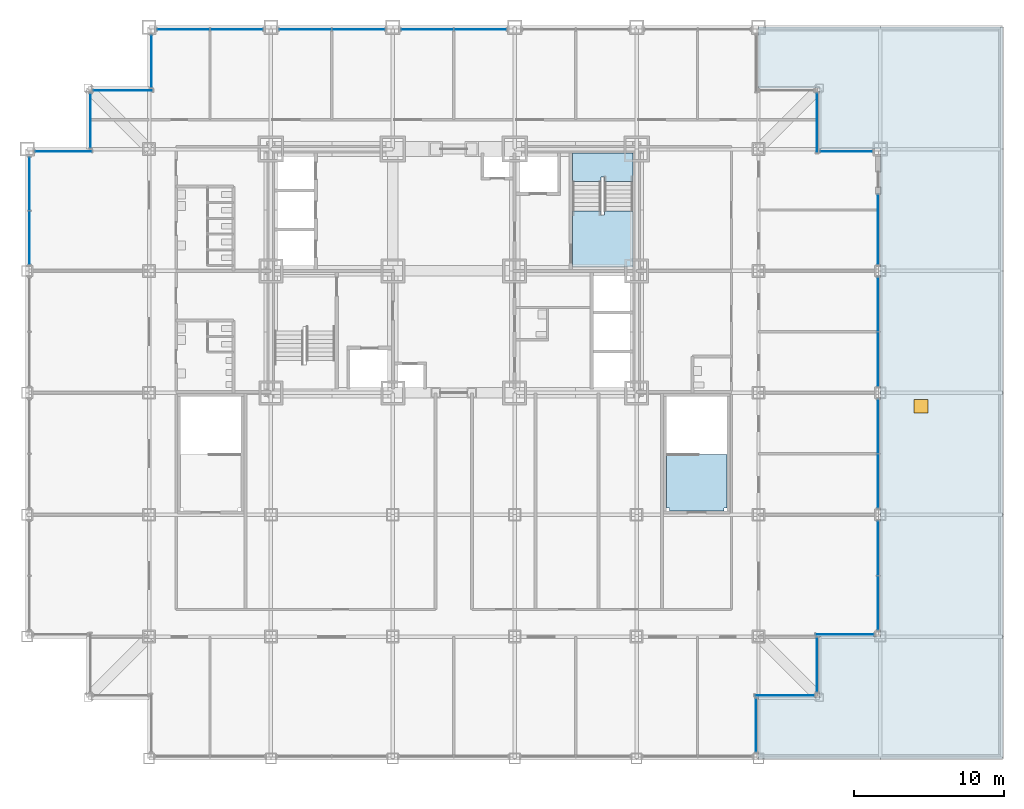
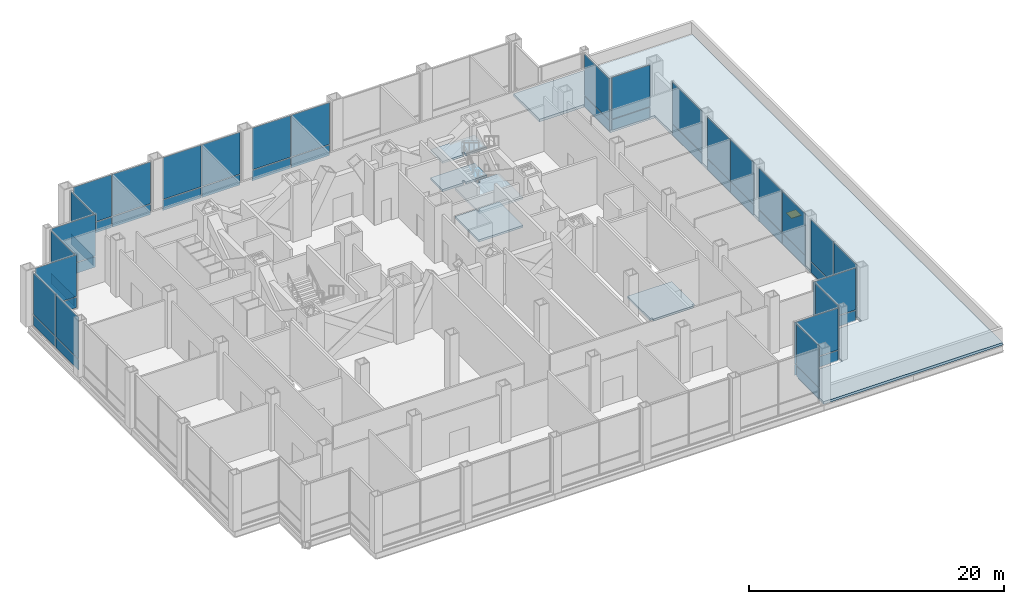
# One storey, part 11 of 18: 50 plates, 6 slabs, 1 window, 1 opening, 19 elements without a shape of their own.
"""IFC4 building model written with IfcOpenShell, lengths in metres."""

from ifc_helpers import new_model, si_unit, direction, frame, origin, origin_2d, place, context, subcontext, project, spatial, polyline, rectangle, outline, extrude, material, layer, layer_set, type_object, element, fill, aggregate, save


model = new_model("IFC4")

# Units and contexts
model_context = context("Model", 3, precision=1e-05, world=origin(), true_north=direction((0.0, 1.0)))
body_context = subcontext(model_context, "Body", "Model", "MODEL_VIEW")
ifc_project = project(units=[si_unit("LENGTHUNIT", "METRE"), si_unit("AREAUNIT", "SQUARE_METRE"), si_unit("VOLUMEUNIT", "CUBIC_METRE"), si_unit("PLANEANGLEUNIT", "RADIAN"), si_unit("MASSUNIT", "GRAM", prefix="KILO")], contexts=[model_context])

# Site, building, storey
site_placement = place(None, origin())
site = spatial("IfcSite", under=ifc_project, at=site_placement, CompositionType="ELEMENT")
building_placement = place(site_placement, origin())
building = spatial("IfcBuilding", under=site, at=building_placement, Name="Kopane Lantern Tower", CompositionType="ELEMENT")
storey_placement = place(building_placement, frame((0.0, 0.0, 22.199951171875)))
storey = spatial("IfcBuildingStorey", under=building, at=storey_placement, Name="L04", CompositionType="ELEMENT", Elevation=22.199951171875)

# Curtain wall, plates
ifc_material_1 = material(Name="Aluminium and clear glass", Category="aluminium")
curtain_wall_type = type_object("IfcCurtainWallType", Name="CURTAIN WALL CW3 SKY LOBBY", PredefinedType="USERDEFINED", material=ifc_material_1)
curtain_wall_1_placement = place(storey_placement, origin())
curtain_wall_1 = element("IfcCurtainWall", 1, at=curtain_wall_1_placement, inside=storey, type_object=curtain_wall_type, Name="Curtain wall CW3 E L04", ObjectType="CURTAIN WALL", PredefinedType="USERDEFINED")
ifc_material_2 = material(Name="Insulated clear glass unit", Category="glass")
ifc_layer_1 = layer(ifc_material_2, 0.033935546875)
ifc_layer_set_1 = layer_set([ifc_layer_1], Name="CURTAIN PANEL CW3-P 34")
plate_type = type_object("IfcPlateType", Name="CURTAIN PANEL CW3-P 34", PredefinedType="CURTAIN_PANEL", material=ifc_layer_set_1)
plate_1_placement = place(storey_placement, frame((48.449951171875, 2.215087890625, 0.070068359375), z_axis=(0.0, 0.0, 1.0), x_axis=(0.0, 1.0, 0.0)))
plate_1 = element("IfcPlate", 2, at=plate_1_placement, type_object=plate_type, Name="CW3 panel 1.1", PredefinedType="CURTAIN_PANEL", context=body_context, shape_type="SweptSolid", body=[
    extrude(rectangle(XDim=3.530029296875, YDim=0.033935546875, at=origin_2d()), origin(), (0.0, 0.0, 1.0), 0.9951171875),
])
plate_2_placement = place(storey_placement, frame((48.449951171875, 2.215087890625, 1.134765625), z_axis=(0.0, 0.0, 1.0), x_axis=(0.0, 1.0, 0.0)))
plate_2 = element("IfcPlate", 3, at=plate_2_placement, type_object=plate_type, Name="CW3 panel 1.2", PredefinedType="CURTAIN_PANEL", context=body_context, shape_type="SweptSolid", body=[
    extrude(rectangle(XDim=3.530029296875, YDim=0.033935546875, at=origin_2d()), origin(), (0.0, 0.0, 1.0), 3.985107421875),
])
aggregate(curtain_wall_1, [plate_1, plate_2])

curtain_wall_2_placement = place(storey_placement, origin())
curtain_wall_2 = element("IfcCurtainWall", 4, at=curtain_wall_2_placement, inside=storey, type_object=curtain_wall_type, Name="Curtain wall CW3 S L04", ObjectType="CURTAIN WALL", PredefinedType="USERDEFINED")
plate_3_placement = place(storey_placement, frame((50.3349609375, 4.199951171875, 0.070068359375), z_axis=(0.0, 0.0, 1.0), x_axis=(1.0, 0.0, 0.0)))
plate_3 = element("IfcPlate", 5, at=plate_3_placement, type_object=plate_type, Name="CW3 panel 1.1", PredefinedType="CURTAIN_PANEL", context=body_context, shape_type="SweptSolid", body=[
    extrude(rectangle(XDim=3.929931640625, YDim=0.033935546875, at=origin_2d()), origin(), (0.0, 0.0, 1.0), 0.9951171875),
])
plate_4_placement = place(storey_placement, frame((50.3349609375, 4.199951171875, 1.134765625), z_axis=(0.0, 0.0, 1.0), x_axis=(1.0, 0.0, 0.0)))
plate_4 = element("IfcPlate", 6, at=plate_4_placement, type_object=plate_type, Name="CW3 panel 1.2", PredefinedType="CURTAIN_PANEL", context=body_context, shape_type="SweptSolid", body=[
    extrude(rectangle(XDim=3.929931640625, YDim=0.033935546875, at=origin_2d()), origin(), (0.0, 0.0, 1.0), 3.985107421875),
])
aggregate(curtain_wall_2, [plate_3, plate_4])

curtain_wall_3_placement = place(storey_placement, origin())
curtain_wall_3 = element("IfcCurtainWall", 7, at=curtain_wall_3_placement, inside=storey, type_object=curtain_wall_type, Name="Curtain wall CW3 E L04", ObjectType="CURTAIN WALL", PredefinedType="USERDEFINED")
plate_5_placement = place(storey_placement, frame((52.5, 6.22509765625, 0.070068359375), z_axis=(0.0, 0.0, 1.0), x_axis=(0.0, 1.0, 0.0)))
plate_5 = element("IfcPlate", 8, at=plate_5_placement, type_object=plate_type, Name="CW3 panel 1.1", PredefinedType="CURTAIN_PANEL", context=body_context, shape_type="SweptSolid", body=[
    extrude(rectangle(XDim=3.610107421875, YDim=0.033935546875, at=origin_2d()), origin(), (0.0, 0.0, 1.0), 0.9951171875),
])
plate_6_placement = place(storey_placement, frame((52.5, 6.22509765625, 1.134765625), z_axis=(0.0, 0.0, 1.0), x_axis=(0.0, 1.0, 0.0)))
plate_6 = element("IfcPlate", 9, at=plate_6_placement, type_object=plate_type, Name="CW3 panel 1.2", PredefinedType="CURTAIN_PANEL", context=body_context, shape_type="SweptSolid", body=[
    extrude(rectangle(XDim=3.610107421875, YDim=0.033935546875, at=origin_2d()), origin(), (0.0, 0.0, 1.0), 3.985107421875),
])
aggregate(curtain_wall_3, [plate_5, plate_6])

curtain_wall_4_placement = place(storey_placement, origin())
curtain_wall_4 = element("IfcCurtainWall", 10, at=curtain_wall_4_placement, inside=storey, type_object=curtain_wall_type, Name="Curtain wall CW3 S L04", ObjectType="CURTAIN WALL", PredefinedType="USERDEFINED")
plate_7_placement = place(storey_placement, frame((54.3349609375, 8.25, 0.070068359375), z_axis=(0.0, 0.0, 1.0), x_axis=(1.0, 0.0, 0.0)))
plate_7 = element("IfcPlate", 11, at=plate_7_placement, type_object=plate_type, Name="CW3 panel 1.1", PredefinedType="CURTAIN_PANEL", context=body_context, shape_type="SweptSolid", body=[
    extrude(rectangle(XDim=3.830078125, YDim=0.033935546875, at=origin_2d()), origin(), (0.0, 0.0, 1.0), 0.9951171875),
])
plate_8_placement = place(storey_placement, frame((54.3349609375, 8.25, 1.134765625), z_axis=(0.0, 0.0, 1.0), x_axis=(1.0, 0.0, 0.0)))
plate_8 = element("IfcPlate", 12, at=plate_8_placement, type_object=plate_type, Name="CW3 panel 1.2", PredefinedType="CURTAIN_PANEL", context=body_context, shape_type="SweptSolid", body=[
    extrude(rectangle(XDim=3.830078125, YDim=0.033935546875, at=origin_2d()), origin(), (0.0, 0.0, 1.0), 3.985107421875),
])
aggregate(curtain_wall_4, [plate_7, plate_8])

curtain_wall_5_placement = place(storey_placement, origin())
curtain_wall_5 = element("IfcCurtainWall", 13, at=curtain_wall_5_placement, inside=storey, type_object=curtain_wall_type, Name="Curtain wall CW3 E L04", ObjectType="CURTAIN WALL", PredefinedType="USERDEFINED")
plate_9_placement = place(storey_placement, frame((56.550048828125, 10.33251953125, 0.070068359375), z_axis=(0.0, 0.0, 1.0), x_axis=(0.0, 1.0, 0.0)))
plate_9 = element("IfcPlate", 14, at=plate_9_placement, type_object=plate_type, Name="CW3 panel 1.1", PredefinedType="CURTAIN_PANEL", context=body_context, shape_type="SweptSolid", body=[
    extrude(rectangle(XDim=3.56494140625, YDim=0.033935546875, at=origin_2d()), origin(), (0.0, 0.0, 1.0), 0.9951171875),
])
plate_10_placement = place(storey_placement, frame((56.550048828125, 10.33251953125, 1.134765625), z_axis=(0.0, 0.0, 1.0), x_axis=(0.0, 1.0, 0.0)))
plate_10 = element("IfcPlate", 15, at=plate_10_placement, type_object=plate_type, Name="CW3 panel 1.2", PredefinedType="CURTAIN_PANEL", context=body_context, shape_type="SweptSolid", body=[
    extrude(rectangle(XDim=3.56494140625, YDim=0.033935546875, at=origin_2d()), origin(), (0.0, 0.0, 1.0), 3.985107421875),
])
plate_11_placement = place(storey_placement, frame((56.550048828125, 13.967529296875, 0.070068359375), z_axis=(0.0, 0.0, 1.0), x_axis=(0.0, 1.0, 0.0)))
plate_11 = element("IfcPlate", 16, at=plate_11_placement, type_object=plate_type, Name="CW3 panel 2.1", PredefinedType="CURTAIN_PANEL", context=body_context, shape_type="SweptSolid", body=[
    extrude(rectangle(XDim=3.56494140625, YDim=0.033935546875, at=origin_2d()), origin(), (0.0, 0.0, 1.0), 0.9951171875),
])
plate_12_placement = place(storey_placement, frame((56.550048828125, 13.967529296875, 1.134765625), z_axis=(0.0, 0.0, 1.0), x_axis=(0.0, 1.0, 0.0)))
plate_12 = element("IfcPlate", 17, at=plate_12_placement, type_object=plate_type, Name="CW3 panel 2.2", PredefinedType="CURTAIN_PANEL", context=body_context, shape_type="SweptSolid", body=[
    extrude(rectangle(XDim=3.56494140625, YDim=0.033935546875, at=origin_2d()), origin(), (0.0, 0.0, 1.0), 3.985107421875),
])
aggregate(curtain_wall_5, [plate_9, plate_10, plate_11, plate_12])

curtain_wall_6_placement = place(storey_placement, origin())
curtain_wall_6 = element("IfcCurtainWall", 18, at=curtain_wall_6_placement, inside=storey, type_object=curtain_wall_type, Name="Curtain wall CW3 E L04", ObjectType="CURTAIN WALL", PredefinedType="USERDEFINED")
plate_13_placement = place(storey_placement, frame((56.550048828125, 18.4326171875, 0.070068359375), z_axis=(0.0, 0.0, 1.0), x_axis=(0.0, 1.0, 0.0)))
plate_13 = element("IfcPlate", 19, at=plate_13_placement, type_object=plate_type, Name="CW3 panel 1.1", PredefinedType="CURTAIN_PANEL", context=body_context, shape_type="SweptSolid", body=[
    extrude(rectangle(XDim=3.56494140625, YDim=0.033935546875, at=origin_2d()), origin(), (0.0, 0.0, 1.0), 0.9951171875),
])
plate_14_placement = place(storey_placement, frame((56.550048828125, 18.4326171875, 1.134765625), z_axis=(0.0, 0.0, 1.0), x_axis=(0.0, 1.0, 0.0)))
plate_14 = element("IfcPlate", 20, at=plate_14_placement, type_object=plate_type, Name="CW3 panel 1.2", PredefinedType="CURTAIN_PANEL", context=body_context, shape_type="SweptSolid", body=[
    extrude(rectangle(XDim=3.56494140625, YDim=0.033935546875, at=origin_2d()), origin(), (0.0, 0.0, 1.0), 3.985107421875),
])
plate_15_placement = place(storey_placement, frame((56.550048828125, 22.0673828125, 0.070068359375), z_axis=(0.0, 0.0, 1.0), x_axis=(0.0, 1.0, 0.0)))
plate_15 = element("IfcPlate", 21, at=plate_15_placement, type_object=plate_type, Name="CW3 panel 2.1", PredefinedType="CURTAIN_PANEL", context=body_context, shape_type="SweptSolid", body=[
    extrude(rectangle(XDim=3.56494140625, YDim=0.033935546875, at=origin_2d()), origin(), (0.0, 0.0, 1.0), 0.9951171875),
])
plate_16_placement = place(storey_placement, frame((56.550048828125, 22.0673828125, 1.134765625), z_axis=(0.0, 0.0, 1.0), x_axis=(0.0, 1.0, 0.0)))
plate_16 = element("IfcPlate", 22, at=plate_16_placement, type_object=plate_type, Name="CW3 panel 2.2", PredefinedType="CURTAIN_PANEL", context=body_context, shape_type="SweptSolid", body=[
    extrude(rectangle(XDim=3.56494140625, YDim=0.033935546875, at=origin_2d()), origin(), (0.0, 0.0, 1.0), 3.985107421875),
])
aggregate(curtain_wall_6, [plate_13, plate_14, plate_15, plate_16])

curtain_wall_7_placement = place(storey_placement, origin())
curtain_wall_7 = element("IfcCurtainWall", 23, at=curtain_wall_7_placement, inside=storey, type_object=curtain_wall_type, Name="Curtain wall CW3 E L04", ObjectType="CURTAIN WALL", PredefinedType="USERDEFINED")
plate_17_placement = place(storey_placement, frame((56.550048828125, 26.532470703125, 0.070068359375), z_axis=(0.0, 0.0, 1.0), x_axis=(0.0, 1.0, 0.0)))
plate_17 = element("IfcPlate", 24, at=plate_17_placement, type_object=plate_type, Name="CW3 panel 1.1", PredefinedType="CURTAIN_PANEL", context=body_context, shape_type="SweptSolid", body=[
    extrude(rectangle(XDim=3.56494140625, YDim=0.033935546875, at=origin_2d()), origin(), (0.0, 0.0, 1.0), 0.9951171875),
])
plate_18_placement = place(storey_placement, frame((56.550048828125, 26.532470703125, 1.134765625), z_axis=(0.0, 0.0, 1.0), x_axis=(0.0, 1.0, 0.0)))
plate_18 = element("IfcPlate", 25, at=plate_18_placement, type_object=plate_type, Name="CW3 panel 1.2", PredefinedType="CURTAIN_PANEL", context=body_context, shape_type="SweptSolid", body=[
    extrude(rectangle(XDim=3.56494140625, YDim=0.033935546875, at=origin_2d()), origin(), (0.0, 0.0, 1.0), 3.985107421875),
])
plate_19_placement = place(storey_placement, frame((56.550048828125, 30.16748046875, 0.070068359375), z_axis=(0.0, 0.0, 1.0), x_axis=(0.0, 1.0, 0.0)))
plate_19 = element("IfcPlate", 26, at=plate_19_placement, type_object=plate_type, Name="CW3 panel 2.1", PredefinedType="CURTAIN_PANEL", context=body_context, shape_type="SweptSolid", body=[
    extrude(rectangle(XDim=3.56494140625, YDim=0.033935546875, at=origin_2d()), origin(), (0.0, 0.0, 1.0), 0.9951171875),
])
plate_20_placement = place(storey_placement, frame((56.550048828125, 30.16748046875, 1.134765625), z_axis=(0.0, 0.0, 1.0), x_axis=(0.0, 1.0, 0.0)))
plate_20 = element("IfcPlate", 27, at=plate_20_placement, type_object=plate_type, Name="CW3 panel 2.2", PredefinedType="CURTAIN_PANEL", context=body_context, shape_type="SweptSolid", body=[
    extrude(rectangle(XDim=3.56494140625, YDim=0.033935546875, at=origin_2d()), origin(), (0.0, 0.0, 1.0), 3.985107421875),
])
aggregate(curtain_wall_7, [plate_17, plate_18, plate_19, plate_20])

curtain_wall_8_placement = place(storey_placement, origin())
curtain_wall_8 = element("IfcCurtainWall", 28, at=curtain_wall_8_placement, inside=storey, type_object=curtain_wall_type, Name="Curtain wall CW3 E L04", ObjectType="CURTAIN WALL", PredefinedType="USERDEFINED")
plate_21_placement = place(storey_placement, frame((56.550048828125, 35.152587890625, 0.070068359375), z_axis=(0.0, 0.0, 1.0), x_axis=(0.0, 1.0, 0.0)))
plate_21 = element("IfcPlate", 29, at=plate_21_placement, type_object=plate_type, Name="CW3 panel 1.1", PredefinedType="CURTAIN_PANEL", context=body_context, shape_type="SweptSolid", body=[
    extrude(rectangle(XDim=4.60498046875, YDim=0.033935546875, at=origin_2d()), origin(), (0.0, 0.0, 1.0), 0.9951171875),
])
plate_22_placement = place(storey_placement, frame((56.550048828125, 35.152587890625, 1.134765625), z_axis=(0.0, 0.0, 1.0), x_axis=(0.0, 1.0, 0.0)))
plate_22 = element("IfcPlate", 30, at=plate_22_placement, type_object=plate_type, Name="CW3 panel 1.2", PredefinedType="CURTAIN_PANEL", context=body_context, shape_type="SweptSolid", body=[
    extrude(rectangle(XDim=4.60498046875, YDim=0.033935546875, at=origin_2d()), origin(), (0.0, 0.0, 1.0), 3.985107421875),
])
aggregate(curtain_wall_8, [plate_21, plate_22])

curtain_wall_9_placement = place(storey_placement, origin())
curtain_wall_9 = element("IfcCurtainWall", 31, at=curtain_wall_9_placement, inside=storey, type_object=curtain_wall_type, Name="Curtain wall CW3 N L04", ObjectType="CURTAIN WALL", PredefinedType="USERDEFINED")
plate_23_placement = place(storey_placement, frame((54.43505859375, 40.35009765625, 0.070068359375), z_axis=(0.0, 0.0, 1.0), x_axis=(-1.0, 0.0, 0.0)))
plate_23 = element("IfcPlate", 32, at=plate_23_placement, type_object=plate_type, Name="CW3 panel 1.1", PredefinedType="CURTAIN_PANEL", context=body_context, shape_type="SweptSolid", body=[
    extrude(rectangle(XDim=3.429931640625, YDim=0.033935546875, at=origin_2d()), origin(), (0.0, 0.0, 1.0), 0.9951171875),
])
plate_24_placement = place(storey_placement, frame((54.43505859375, 40.35009765625, 1.134765625), z_axis=(0.0, 0.0, 1.0), x_axis=(-1.0, 0.0, 0.0)))
plate_24 = element("IfcPlate", 33, at=plate_24_placement, type_object=plate_type, Name="CW3 panel 1.2", PredefinedType="CURTAIN_PANEL", context=body_context, shape_type="SweptSolid", body=[
    extrude(rectangle(XDim=3.429931640625, YDim=0.033935546875, at=origin_2d()), origin(), (0.0, 0.0, 1.0), 3.985107421875),
])
aggregate(curtain_wall_9, [plate_23, plate_24])

curtain_wall_10_placement = place(storey_placement, origin())
curtain_wall_10 = element("IfcCurtainWall", 34, at=curtain_wall_10_placement, inside=storey, type_object=curtain_wall_type, Name="Curtain wall CW3 E L04", ObjectType="CURTAIN WALL", PredefinedType="USERDEFINED")
plate_25_placement = place(storey_placement, frame((52.5, 42.235107421875, 0.070068359375), z_axis=(0.0, 0.0, 1.0), x_axis=(0.0, 1.0, 0.0)))
plate_25 = element("IfcPlate", 35, at=plate_25_placement, type_object=plate_type, Name="CW3 panel 1.1", PredefinedType="CURTAIN_PANEL", context=body_context, shape_type="SweptSolid", body=[
    extrude(rectangle(XDim=3.929931640625, YDim=0.033935546875, at=origin_2d()), origin(), (0.0, 0.0, 1.0), 0.9951171875),
])
plate_26_placement = place(storey_placement, frame((52.5, 42.235107421875, 1.134765625), z_axis=(0.0, 0.0, 1.0), x_axis=(0.0, 1.0, 0.0)))
plate_26 = element("IfcPlate", 36, at=plate_26_placement, type_object=plate_type, Name="CW3 panel 1.2", PredefinedType="CURTAIN_PANEL", context=body_context, shape_type="SweptSolid", body=[
    extrude(rectangle(XDim=3.929931640625, YDim=0.033935546875, at=origin_2d()), origin(), (0.0, 0.0, 1.0), 3.985107421875),
])
aggregate(curtain_wall_10, [plate_25, plate_26])

curtain_wall_11_placement = place(storey_placement, origin())
curtain_wall_11 = element("IfcCurtainWall", 37, at=curtain_wall_11_placement, inside=storey, type_object=curtain_wall_type, Name="Curtain wall CW3 N L04", ObjectType="CURTAIN WALL", PredefinedType="USERDEFINED")
plate_27_placement = place(storey_placement, frame((30.117431640625, 48.449951171875, 0.070068359375), z_axis=(0.0, 0.0, 1.0), x_axis=(-1.0, 0.0, 0.0)))
plate_27 = element("IfcPlate", 38, at=plate_27_placement, type_object=plate_type, Name="CW3 panel 1.1", PredefinedType="CURTAIN_PANEL", context=body_context, shape_type="SweptSolid", body=[
    extrude(rectangle(XDim=3.465087890625, YDim=0.033935546875, at=origin_2d()), origin(), (0.0, 0.0, 1.0), 0.9951171875),
])
plate_28_placement = place(storey_placement, frame((30.117431640625, 48.449951171875, 1.134765625), z_axis=(0.0, 0.0, 1.0), x_axis=(-1.0, 0.0, 0.0)))
plate_28 = element("IfcPlate", 39, at=plate_28_placement, type_object=plate_type, Name="CW3 panel 1.2", PredefinedType="CURTAIN_PANEL", context=body_context, shape_type="SweptSolid", body=[
    extrude(rectangle(XDim=3.465087890625, YDim=0.033935546875, at=origin_2d()), origin(), (0.0, 0.0, 1.0), 3.985107421875),
])
plate_29_placement = place(storey_placement, frame((26.58251953125, 48.449951171875, 0.070068359375), z_axis=(0.0, 0.0, 1.0), x_axis=(-1.0, 0.0, 0.0)))
plate_29 = element("IfcPlate", 40, at=plate_29_placement, type_object=plate_type, Name="CW3 panel 2.1", PredefinedType="CURTAIN_PANEL", context=body_context, shape_type="SweptSolid", body=[
    extrude(rectangle(XDim=3.465087890625, YDim=0.033935546875, at=origin_2d()), origin(), (0.0, 0.0, 1.0), 0.9951171875),
])
plate_30_placement = place(storey_placement, frame((26.58251953125, 48.449951171875, 1.134765625), z_axis=(0.0, 0.0, 1.0), x_axis=(-1.0, 0.0, 0.0)))
plate_30 = element("IfcPlate", 41, at=plate_30_placement, type_object=plate_type, Name="CW3 panel 2.2", PredefinedType="CURTAIN_PANEL", context=body_context, shape_type="SweptSolid", body=[
    extrude(rectangle(XDim=3.465087890625, YDim=0.033935546875, at=origin_2d()), origin(), (0.0, 0.0, 1.0), 3.985107421875),
])
aggregate(curtain_wall_11, [plate_27, plate_28, plate_29, plate_30])

curtain_wall_12_placement = place(storey_placement, origin())
curtain_wall_12 = element("IfcCurtainWall", 42, at=curtain_wall_12_placement, inside=storey, type_object=curtain_wall_type, Name="Curtain wall CW3 N L04", ObjectType="CURTAIN WALL", PredefinedType="USERDEFINED")
plate_31_placement = place(storey_placement, frame((22.017578125, 48.449951171875, 0.070068359375), z_axis=(0.0, 0.0, 1.0), x_axis=(-1.0, 0.0, 0.0)))
plate_31 = element("IfcPlate", 43, at=plate_31_placement, type_object=plate_type, Name="CW3 panel 1.1", PredefinedType="CURTAIN_PANEL", context=body_context, shape_type="SweptSolid", body=[
    extrude(rectangle(XDim=3.465087890625, YDim=0.033935546875, at=origin_2d()), origin(), (0.0, 0.0, 1.0), 0.9951171875),
])
plate_32_placement = place(storey_placement, frame((22.017578125, 48.449951171875, 1.134765625), z_axis=(0.0, 0.0, 1.0), x_axis=(-1.0, 0.0, 0.0)))
plate_32 = element("IfcPlate", 44, at=plate_32_placement, type_object=plate_type, Name="CW3 panel 1.2", PredefinedType="CURTAIN_PANEL", context=body_context, shape_type="SweptSolid", body=[
    extrude(rectangle(XDim=3.465087890625, YDim=0.033935546875, at=origin_2d()), origin(), (0.0, 0.0, 1.0), 3.985107421875),
])
plate_33_placement = place(storey_placement, frame((18.482421875, 48.449951171875, 0.070068359375), z_axis=(0.0, 0.0, 1.0), x_axis=(-1.0, 0.0, 0.0)))
plate_33 = element("IfcPlate", 45, at=plate_33_placement, type_object=plate_type, Name="CW3 panel 2.1", PredefinedType="CURTAIN_PANEL", context=body_context, shape_type="SweptSolid", body=[
    extrude(rectangle(XDim=3.465087890625, YDim=0.033935546875, at=origin_2d()), origin(), (0.0, 0.0, 1.0), 0.9951171875),
])
plate_34_placement = place(storey_placement, frame((18.482421875, 48.449951171875, 1.134765625), z_axis=(0.0, 0.0, 1.0), x_axis=(-1.0, 0.0, 0.0)))
plate_34 = element("IfcPlate", 46, at=plate_34_placement, type_object=plate_type, Name="CW3 panel 2.2", PredefinedType="CURTAIN_PANEL", context=body_context, shape_type="SweptSolid", body=[
    extrude(rectangle(XDim=3.465087890625, YDim=0.033935546875, at=origin_2d()), origin(), (0.0, 0.0, 1.0), 3.985107421875),
])
aggregate(curtain_wall_12, [plate_31, plate_32, plate_33, plate_34])

curtain_wall_13_placement = place(storey_placement, origin())
curtain_wall_13 = element("IfcCurtainWall", 47, at=curtain_wall_13_placement, inside=storey, type_object=curtain_wall_type, Name="Curtain wall CW3 N L04", ObjectType="CURTAIN WALL", PredefinedType="USERDEFINED")
plate_35_placement = place(storey_placement, frame((13.91748046875, 48.449951171875, 0.070068359375), z_axis=(0.0, 0.0, 1.0), x_axis=(-1.0, 0.0, 0.0)))
plate_35 = element("IfcPlate", 48, at=plate_35_placement, type_object=plate_type, Name="CW3 panel 1.1", PredefinedType="CURTAIN_PANEL", context=body_context, shape_type="SweptSolid", body=[
    extrude(rectangle(XDim=3.465087890625, YDim=0.033935546875, at=origin_2d()), origin(), (0.0, 0.0, 1.0), 0.9951171875),
])
plate_36_placement = place(storey_placement, frame((13.91748046875, 48.449951171875, 1.134765625), z_axis=(0.0, 0.0, 1.0), x_axis=(-1.0, 0.0, 0.0)))
plate_36 = element("IfcPlate", 49, at=plate_36_placement, type_object=plate_type, Name="CW3 panel 1.2", PredefinedType="CURTAIN_PANEL", context=body_context, shape_type="SweptSolid", body=[
    extrude(rectangle(XDim=3.465087890625, YDim=0.033935546875, at=origin_2d()), origin(), (0.0, 0.0, 1.0), 3.985107421875),
])
plate_37_placement = place(storey_placement, frame((10.382568359375, 48.449951171875, 0.070068359375), z_axis=(0.0, 0.0, 1.0), x_axis=(-1.0, 0.0, 0.0)))
plate_37 = element("IfcPlate", 50, at=plate_37_placement, type_object=plate_type, Name="CW3 panel 2.1", PredefinedType="CURTAIN_PANEL", context=body_context, shape_type="SweptSolid", body=[
    extrude(rectangle(XDim=3.465087890625, YDim=0.033935546875, at=origin_2d()), origin(), (0.0, 0.0, 1.0), 0.9951171875),
])
plate_38_placement = place(storey_placement, frame((10.382568359375, 48.449951171875, 1.134765625), z_axis=(0.0, 0.0, 1.0), x_axis=(-1.0, 0.0, 0.0)))
plate_38 = element("IfcPlate", 51, at=plate_38_placement, type_object=plate_type, Name="CW3 panel 2.2", PredefinedType="CURTAIN_PANEL", context=body_context, shape_type="SweptSolid", body=[
    extrude(rectangle(XDim=3.465087890625, YDim=0.033935546875, at=origin_2d()), origin(), (0.0, 0.0, 1.0), 3.985107421875),
])
aggregate(curtain_wall_13, [plate_35, plate_36, plate_37, plate_38])

curtain_wall_14_placement = place(storey_placement, origin())
curtain_wall_14 = element("IfcCurtainWall", 52, at=curtain_wall_14_placement, inside=storey, type_object=curtain_wall_type, Name="Curtain wall CW3 W L04", ObjectType="CURTAIN WALL", PredefinedType="USERDEFINED")
plate_39_placement = place(storey_placement, frame((8.25, 46.3349609375, 0.070068359375), z_axis=(0.0, 0.0, 1.0), x_axis=(0.0, -1.0, 0.0)))
plate_39 = element("IfcPlate", 53, at=plate_39_placement, type_object=plate_type, Name="CW3 panel 1.1", PredefinedType="CURTAIN_PANEL", context=body_context, shape_type="SweptSolid", body=[
    extrude(rectangle(XDim=3.429931640625, YDim=0.033935546875, at=origin_2d()), origin(), (0.0, 0.0, 1.0), 0.9951171875),
])
plate_40_placement = place(storey_placement, frame((8.25, 46.3349609375, 1.134765625), z_axis=(0.0, 0.0, 1.0), x_axis=(0.0, -1.0, 0.0)))
plate_40 = element("IfcPlate", 54, at=plate_40_placement, type_object=plate_type, Name="CW3 panel 1.2", PredefinedType="CURTAIN_PANEL", context=body_context, shape_type="SweptSolid", body=[
    extrude(rectangle(XDim=3.429931640625, YDim=0.033935546875, at=origin_2d()), origin(), (0.0, 0.0, 1.0), 3.985107421875),
])
aggregate(curtain_wall_14, [plate_39, plate_40])

curtain_wall_15_placement = place(storey_placement, origin())
curtain_wall_15 = element("IfcCurtainWall", 55, at=curtain_wall_15_placement, inside=storey, type_object=curtain_wall_type, Name="Curtain wall CW3 N L04", ObjectType="CURTAIN WALL", PredefinedType="USERDEFINED")
plate_41_placement = place(storey_placement, frame((6.364990234375, 44.39990234375, 0.070068359375), z_axis=(0.0, 0.0, 1.0), x_axis=(-1.0, 0.0, 0.0)))
plate_41 = element("IfcPlate", 56, at=plate_41_placement, type_object=plate_type, Name="CW3 panel 1.1", PredefinedType="CURTAIN_PANEL", context=body_context, shape_type="SweptSolid", body=[
    extrude(rectangle(XDim=3.929931640625, YDim=0.033935546875, at=origin_2d()), origin(), (0.0, 0.0, 1.0), 0.9951171875),
])
plate_42_placement = place(storey_placement, frame((6.364990234375, 44.39990234375, 1.134765625), z_axis=(0.0, 0.0, 1.0), x_axis=(-1.0, 0.0, 0.0)))
plate_42 = element("IfcPlate", 57, at=plate_42_placement, type_object=plate_type, Name="CW3 panel 1.2", PredefinedType="CURTAIN_PANEL", context=body_context, shape_type="SweptSolid", body=[
    extrude(rectangle(XDim=3.929931640625, YDim=0.033935546875, at=origin_2d()), origin(), (0.0, 0.0, 1.0), 3.985107421875),
])
aggregate(curtain_wall_15, [plate_41, plate_42])

curtain_wall_16_placement = place(storey_placement, origin())
curtain_wall_16 = element("IfcCurtainWall", 58, at=curtain_wall_16_placement, inside=storey, type_object=curtain_wall_type, Name="Curtain wall CW3 W L04", ObjectType="CURTAIN WALL", PredefinedType="USERDEFINED")
plate_43_placement = place(storey_placement, frame((4.199951171875, 42.375, 0.070068359375), z_axis=(0.0, 0.0, 1.0), x_axis=(0.0, -1.0, 0.0)))
plate_43 = element("IfcPlate", 59, at=plate_43_placement, type_object=plate_type, Name="CW3 panel 1.1", PredefinedType="CURTAIN_PANEL", context=body_context, shape_type="SweptSolid", body=[
    extrude(rectangle(XDim=3.610107421875, YDim=0.033935546875, at=origin_2d()), origin(), (0.0, 0.0, 1.0), 0.9951171875),
])
plate_44_placement = place(storey_placement, frame((4.199951171875, 42.375, 1.134765625), z_axis=(0.0, 0.0, 1.0), x_axis=(0.0, -1.0, 0.0)))
plate_44 = element("IfcPlate", 60, at=plate_44_placement, type_object=plate_type, Name="CW3 panel 1.2", PredefinedType="CURTAIN_PANEL", context=body_context, shape_type="SweptSolid", body=[
    extrude(rectangle(XDim=3.610107421875, YDim=0.033935546875, at=origin_2d()), origin(), (0.0, 0.0, 1.0), 3.985107421875),
])
aggregate(curtain_wall_16, [plate_43, plate_44])

curtain_wall_17_placement = place(storey_placement, origin())
curtain_wall_17 = element("IfcCurtainWall", 61, at=curtain_wall_17_placement, inside=storey, type_object=curtain_wall_type, Name="Curtain wall CW3 N L04", ObjectType="CURTAIN WALL", PredefinedType="USERDEFINED")
plate_45_placement = place(storey_placement, frame((2.4150390625, 40.35009765625, 0.070068359375), z_axis=(0.0, 0.0, 1.0), x_axis=(-1.0, 0.0, 0.0)))
plate_45 = element("IfcPlate", 62, at=plate_45_placement, type_object=plate_type, Name="CW3 panel 1.1", PredefinedType="CURTAIN_PANEL", context=body_context, shape_type="SweptSolid", body=[
    extrude(rectangle(XDim=3.72998046875, YDim=0.033935546875, at=origin_2d()), origin(), (0.0, 0.0, 1.0), 0.9951171875),
])
plate_46_placement = place(storey_placement, frame((2.4150390625, 40.35009765625, 1.134765625), z_axis=(0.0, 0.0, 1.0), x_axis=(-1.0, 0.0, 0.0)))
plate_46 = element("IfcPlate", 63, at=plate_46_placement, type_object=plate_type, Name="CW3 panel 1.2", PredefinedType="CURTAIN_PANEL", context=body_context, shape_type="SweptSolid", body=[
    extrude(rectangle(XDim=3.72998046875, YDim=0.033935546875, at=origin_2d()), origin(), (0.0, 0.0, 1.0), 3.985107421875),
])
aggregate(curtain_wall_17, [plate_45, plate_46])

curtain_wall_18_placement = place(storey_placement, origin())
curtain_wall_18 = element("IfcCurtainWall", 64, at=curtain_wall_18_placement, inside=storey, type_object=curtain_wall_type, Name="Curtain wall CW3 W L04", ObjectType="CURTAIN WALL", PredefinedType="USERDEFINED")
plate_47_placement = place(storey_placement, frame((0.14990234375, 38.1923828125, 0.070068359375), z_axis=(0.0, 0.0, 1.0), x_axis=(0.0, -1.0, 0.0)))
plate_47 = element("IfcPlate", 65, at=plate_47_placement, type_object=plate_type, Name="CW3 panel 1.1", PredefinedType="CURTAIN_PANEL", context=body_context, shape_type="SweptSolid", body=[
    extrude(rectangle(XDim=3.514892578125, YDim=0.033935546875, at=origin_2d()), origin(), (0.0, 0.0, 1.0), 0.9951171875),
])
plate_48_placement = place(storey_placement, frame((0.14990234375, 38.1923828125, 1.134765625), z_axis=(0.0, 0.0, 1.0), x_axis=(0.0, -1.0, 0.0)))
plate_48 = element("IfcPlate", 66, at=plate_48_placement, type_object=plate_type, Name="CW3 panel 1.2", PredefinedType="CURTAIN_PANEL", context=body_context, shape_type="SweptSolid", body=[
    extrude(rectangle(XDim=3.514892578125, YDim=0.033935546875, at=origin_2d()), origin(), (0.0, 0.0, 1.0), 3.985107421875),
])
plate_49_placement = place(storey_placement, frame((0.14990234375, 34.607421875, 0.070068359375), z_axis=(0.0, 0.0, 1.0), x_axis=(0.0, -1.0, 0.0)))
plate_49 = element("IfcPlate", 67, at=plate_49_placement, type_object=plate_type, Name="CW3 panel 2.1", PredefinedType="CURTAIN_PANEL", context=body_context, shape_type="SweptSolid", body=[
    extrude(rectangle(XDim=3.514892578125, YDim=0.033935546875, at=origin_2d()), origin(), (0.0, 0.0, 1.0), 0.9951171875),
])
plate_50_placement = place(storey_placement, frame((0.14990234375, 34.607421875, 1.134765625), z_axis=(0.0, 0.0, 1.0), x_axis=(0.0, -1.0, 0.0)))
plate_50 = element("IfcPlate", 68, at=plate_50_placement, type_object=plate_type, Name="CW3 panel 2.2", PredefinedType="CURTAIN_PANEL", context=body_context, shape_type="SweptSolid", body=[
    extrude(rectangle(XDim=3.514892578125, YDim=0.033935546875, at=origin_2d()), origin(), (0.0, 0.0, 1.0), 3.985107421875),
])
aggregate(curtain_wall_18, [plate_47, plate_48, plate_49, plate_50])

# Slab, opening, window
ifc_material_3 = material(Name="Concrete C40/50", Category="concrete")
ifc_layer_2 = layer(ifc_material_3, 0.25)
ifc_layer_set_2 = layer_set([ifc_layer_2], Name="SLAB 250 ROOF")
slab_type_1 = type_object("IfcSlabType", Name="SLAB 250 ROOF", PredefinedType="ROOF", material=ifc_layer_set_2)
slab_1_placement = place(storey_placement, frame((0.0, 0.0, -0.25)))
slab_1 = element("IfcSlab", 69, at=slab_1_placement, inside=storey, type_object=slab_type_1, Name="Maintenance roof slab L04", PredefinedType="ROOF", context=body_context, shape_type="SweptSolid", body=[
    extrude(outline(polyline([(64.800048828125, 48.60009765625), (64.800048828125, 0.0), (48.60009765625, 0.0), (48.60009765625, 4.050048828125), (52.64990234375, 4.050048828125), (52.64990234375, 8.10009765625), (56.699951171875, 8.10009765625), (56.699951171875, 40.5), (52.64990234375, 40.5), (52.64990234375, 44.550048828125), (48.60009765625, 44.550048828125), (48.60009765625, 48.60009765625), (64.800048828125, 48.60009765625)])), origin(), (0.0, 0.0, 1.0), 0.25),
])
opening_placement = place(slab_1_placement, frame((59.39990234375, 23.39990234375, 0.0)))
opening = element("IfcOpeningElement", 70, at=opening_placement, cuts=slab_1, Name="Opening RH1", PredefinedType="OPENING", context=body_context, shape_type="SweptSolid", body=[
    extrude(rectangle(XDim=0.89990234375, YDim=0.89990234375, at=origin_2d()), origin(), (0.0, 0.0, 1.0), 0.25),
])
ifc_material_4 = material(Name="Insulated aluminium", Category="aluminium")
window_type = type_object("IfcWindowType", Name="ROOF ACCESS HATCH RH1 900x900", PartitioningType="SINGLE_PANEL", PredefinedType="SKYLIGHT", material=ifc_material_4)
window_placement = place(opening_placement, frame((0.0, 0.0, 0.199951171875)))
window = element("IfcWindow", 71, at=window_placement, inside=storey, type_object=window_type, Name="Roof access hatch L04", OverallHeight=0.89990234375, OverallWidth=0.89990234375, PartitioningType="SINGLE_PANEL", PredefinedType="SKYLIGHT", context=body_context, shape_type="SweptSolid", body=[
    extrude(rectangle(XDim=0.89990234375, YDim=0.89990234375, at=origin_2d()), origin(), (0.0, 0.0, 1.0), 0.050048828125),
])
fill(opening, window)

# Stair, slabs
ifc_material_5 = material(Name="Steel S355JR", Category="steel")
stair_type = type_object("IfcStairType", Name="EXIT STAIR 1900 HALF TURN", PredefinedType="HALF_TURN_STAIR", material=ifc_material_5)
stair_placement = place(storey_placement, origin())
stair = element("IfcStair", 72, at=stair_placement, inside=storey, type_object=stair_type, Name="Exit stair ST2 L04", PredefinedType="HALF_TURN_STAIR")
ifc_material_6 = material(Name="Concrete C40/50", Category="concrete")
ifc_layer_3 = layer(ifc_material_6, 0.199951171875)
ifc_layer_set_3 = layer_set([ifc_layer_3], Name="STAIR LANDING 200")
slab_type_2 = type_object("IfcSlabType", Name="STAIR LANDING 200", PredefinedType="LANDING", material=ifc_layer_set_3)
slab_2_placement = place(storey_placement, frame((0.0, 0.0, -0.199951171875)))
slab_2 = element("IfcSlab", 73, at=slab_2_placement, type_object=slab_type_2, Name="ST2 landing 1", PredefinedType="LANDING", context=body_context, shape_type="SweptSolid", body=[
    extrude(outline(polyline([(40.25, 36.389892578125), (38.35009765625, 36.389892578125), (38.35009765625, 36.110107421875), (38.14990234375, 36.110107421875), (38.14990234375, 36.389892578125), (36.25, 36.389892578125), (36.25, 32.64990234375), (40.25, 32.64990234375), (40.25, 36.389892578125)])), origin(), (0.0, 0.0, 1.0), 0.199951171875),
])
slab_3_placement = place(storey_placement, frame((0.0, 0.0, 1.150146484375)))
slab_3 = element("IfcSlab", 74, at=slab_3_placement, type_object=slab_type_2, Name="ST2 landing 2", PredefinedType="LANDING", context=body_context, shape_type="SweptSolid", body=[
    extrude(outline(polyline([(38.14990234375, 38.6298828125), (38.35009765625, 38.6298828125), (38.35009765625, 38.35009765625), (40.25, 38.35009765625), (40.25, 40.25), (36.25, 40.25), (36.25, 38.35009765625), (38.14990234375, 38.35009765625), (38.14990234375, 38.6298828125)])), origin(), (0.0, 0.0, 1.0), 0.199951171875),
])
slab_4_placement = place(storey_placement, frame((0.0, 0.0, 2.5)))
slab_4 = element("IfcSlab", 75, at=slab_4_placement, type_object=slab_type_2, Name="ST2 landing 3", PredefinedType="LANDING", context=body_context, shape_type="SweptSolid", body=[
    extrude(outline(polyline([(40.25, 36.389892578125), (38.35009765625, 36.389892578125), (38.35009765625, 36.110107421875), (38.14990234375, 36.110107421875), (38.14990234375, 36.389892578125), (36.25, 36.389892578125), (36.25, 32.64990234375), (40.25, 32.64990234375), (40.25, 36.389892578125)])), origin(), (0.0, 0.0, 1.0), 0.199951171875),
])
slab_5_placement = place(storey_placement, frame((0.0, 0.0, 3.85009765625)))
slab_5 = element("IfcSlab", 76, at=slab_5_placement, type_object=slab_type_2, Name="ST2 landing 4", PredefinedType="LANDING", context=body_context, shape_type="SweptSolid", body=[
    extrude(outline(polyline([(38.14990234375, 38.6298828125), (38.35009765625, 38.6298828125), (38.35009765625, 38.35009765625), (40.25, 38.35009765625), (40.25, 40.25), (36.25, 40.25), (36.25, 38.35009765625), (38.14990234375, 38.35009765625), (38.14990234375, 38.6298828125)])), origin(), (0.0, 0.0, 1.0), 0.199951171875),
])
aggregate(stair, [slab_2, slab_3, slab_4, slab_5])

# Slab
slab_6_placement = place(storey_placement, frame((0.0, 0.0, -0.199951171875)))
element("IfcSlab", 77, at=slab_6_placement, inside=storey, type_object=slab_type_2, Name="ST4 landing L04", PredefinedType="LANDING", context=body_context, shape_type="SweptSolid", body=[
    extrude(outline(polyline([(46.5, 16.64990234375), (46.5, 20.18994140625), (42.5, 20.18994140625), (42.5, 16.64990234375), (42.699951171875, 16.64990234375), (42.699951171875, 16.449951171875), (46.300048828125, 16.449951171875), (46.300048828125, 16.64990234375), (46.5, 16.64990234375)])), origin(), (0.0, 0.0, 1.0), 0.199951171875),
])

save(model, "model.ifc")
